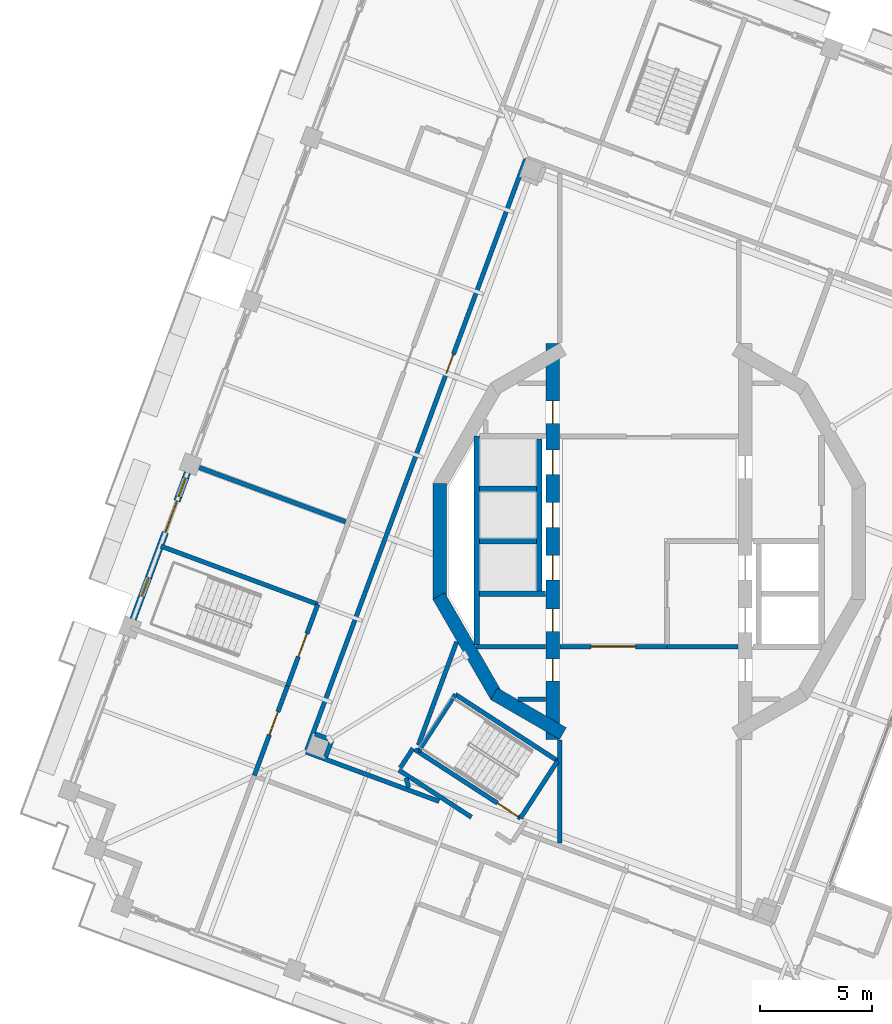
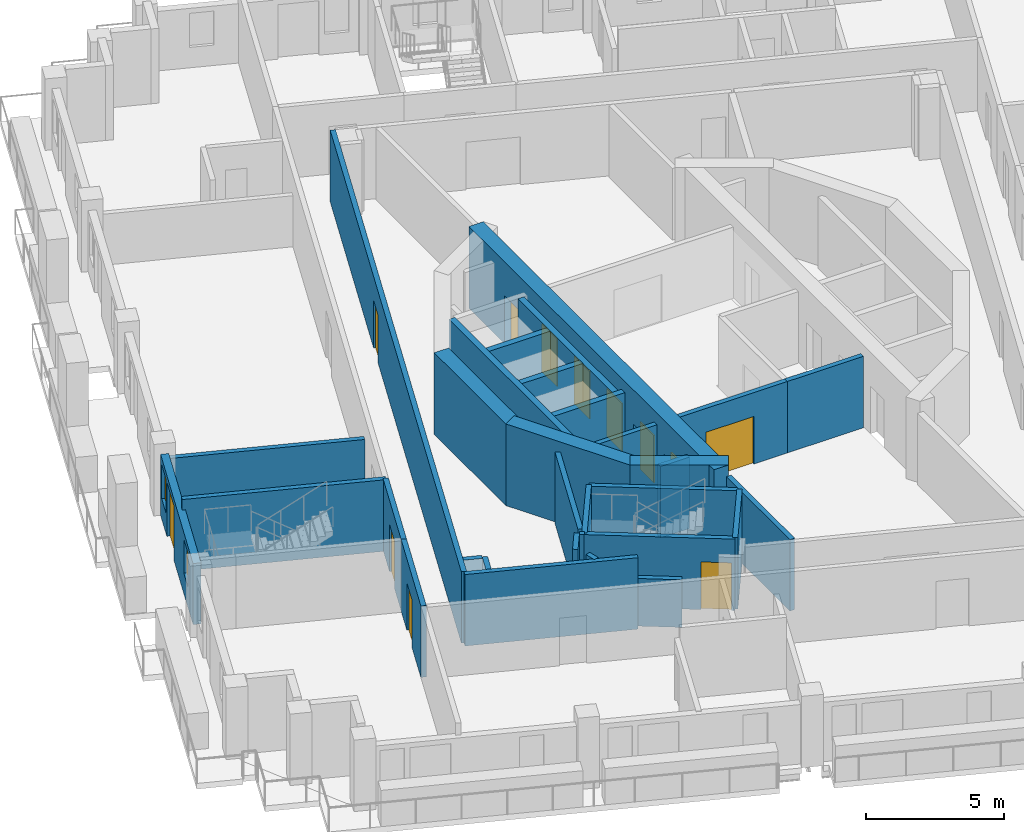
# One storey, part 6 of 19: 32 walls, 12 doors, 2 windows, 14 openings.
"""IFC4 building model written with IfcOpenShell, lengths in metres."""

from ifc_helpers import new_model, si_unit, direction, frame, frame_2d, origin, place, context, subcontext, project, spatial, rectangle, extrude, material, layer, layer_set, type_object, element, fill, save


model = new_model("IFC4")

# Units and contexts
model_context = context("Model", 3, precision=1e-05, world=origin(), true_north=direction((0.0, 1.0)))
body_context = subcontext(model_context, "Body", "Model", "MODEL_VIEW")
ifc_project = project(units=[si_unit("LENGTHUNIT", "METRE"), si_unit("AREAUNIT", "SQUARE_METRE"), si_unit("VOLUMEUNIT", "CUBIC_METRE"), si_unit("PLANEANGLEUNIT", "RADIAN"), si_unit("MASSUNIT", "GRAM", prefix="KILO")], contexts=[model_context])

# Site, building, storey
site_placement = place(None, origin())
site = spatial("IfcSite", under=ifc_project, at=site_placement, CompositionType="ELEMENT")
building_placement = place(site_placement, origin())
building = spatial("IfcBuilding", under=site, at=building_placement, Name="Cantera Rosa Tower", CompositionType="ELEMENT")
storey_placement = place(building_placement, frame((0.0, 0.0, 342.10009765625)))
storey = spatial("IfcBuildingStorey", under=building, at=storey_placement, Name="L77", CompositionType="ELEMENT", Elevation=342.10009765625)

# Wall
ifc_material_1 = material(Name="Gypsum board partition")
ifc_layer_1 = layer(ifc_material_1, 0.199951171875)
ifc_layer_set_1 = layer_set([ifc_layer_1], Name="CORRIDOR WALL 200 H2100")
wall_type_1 = type_object("IfcWallType", Name="CORRIDOR WALL 200 H2100", PredefinedType="PARTITIONING", material=ifc_layer_set_1)
wall_1_placement = place(storey_placement, frame((-11.177490234375, -10.216552734375, 0.0), z_axis=(0.0, 0.0, 1.0), x_axis=(0.83867589464, -0.544630832537, 0.0)))
element("IfcWall", 1, at=wall_1_placement, inside=storey, type_object=wall_type_1, Name="CORRIDOR WALL L77-013", PredefinedType="PARTITIONING", context=body_context, shape_type="SweptSolid", body=[
    extrude(rectangle(XDim=3.864990234375, YDim=0.199951171875, at=frame_2d((1.9326171875, 0.0))), origin(), (0.0, 0.0, 1.0), 2.099853515625),
])

# Wall, opening, door
ifc_material_2 = material(Name="Gypsum board partition")
ifc_layer_2 = layer(ifc_material_2, 0.199951171875)
ifc_layer_set_2 = layer_set([ifc_layer_2], Name="CORRIDOR WALL 200 H3150")
wall_type_2 = type_object("IfcWallType", Name="CORRIDOR WALL 200 H3150", PredefinedType="PARTITIONING", material=ifc_layer_set_2)
wall_2_placement = place(storey_placement, frame((-16.1513671875, -6.460205078125, 0.0), z_axis=(0.0, 0.0, 1.0), x_axis=(-0.347465539693, -0.937692752838, 0.0)))
wall_2 = element("IfcWall", 2, at=wall_2_placement, inside=storey, type_object=wall_type_2, Name="CORRIDOR WALL L77-004", PredefinedType="PARTITIONING", context=body_context, shape_type="SweptSolid", body=[
    extrude(rectangle(XDim=4.260009765625, YDim=0.199951171875, at=frame_2d((2.1298828125, 0.0))), origin(), (0.0, 0.0, 1.0), 3.14990234375),
])
opening_1_placement = place(wall_2_placement, frame((1.22998046875, 0.0, 0.0)))
opening_1 = element("IfcOpeningElement", 3, at=opening_1_placement, cuts=wall_2, Name="Opening L77-030", PredefinedType="OPENING", context=body_context, shape_type="SweptSolid", body=[
    extrude(rectangle(XDim=1.10009765625, YDim=2.10009765625, at=frame_2d((0.550048828125, 1.050048828125))), frame((0.0, 0.10986328125, 0.0), z_axis=(0.0, -1.0, 0.0), x_axis=(1.0, 0.0, 0.0)), (0.0, 0.0, 1.0), 0.219970703125),
])
ifc_material_3 = material(Name="Timber door leaf", Category="wood")
door_type_1 = type_object("IfcDoorType", Name="ROOM DOOR 1100x2100", OperationType="NOTDEFINED", PredefinedType="DOOR", material=ifc_material_3)
door_1_placement = place(opening_1_placement, origin())
door_1 = element("IfcDoor", 4, at=door_1_placement, inside=storey, type_object=door_type_1, Name="DOOR L77-030", OperationType="NOTDEFINED", OverallHeight=2.10009765625, OverallWidth=1.10009765625, PredefinedType="DOOR", context=body_context, shape_type="SweptSolid", body=[
    extrude(rectangle(XDim=1.10009765625, YDim=2.10009765625, at=frame_2d((0.550048828125, 1.050048828125))), frame((0.0, 0.02490234375, 0.0), z_axis=(0.0, -1.0, 0.0), x_axis=(1.0, 0.0, 0.0)), (0.0, 0.0, 1.0), 0.050048828125),
])
fill(opening_1, door_1)

# Walls
wall_3_placement = place(storey_placement, frame((-15.3251953125, -9.4111328125, 0.0), z_axis=(0.0, 0.0, 1.0), x_axis=(0.937682798528, -0.347492401852, 0.0)))
element("IfcWall", 5, at=wall_3_placement, inside=storey, type_object=wall_type_2, Name="CORRIDOR WALL L77-006", PredefinedType="PARTITIONING", context=body_context, shape_type="SweptSolid", body=[
    extrude(rectangle(XDim=6.341552734375, YDim=0.199951171875, at=frame_2d((3.1708984375, 0.0))), origin(), (0.0, 0.0, 1.0), 3.14990234375),
])
wall_4_placement = place(storey_placement, frame((-10.546630859375, -9.2451171875, 0.0), z_axis=(0.0, 0.0, 1.0), x_axis=(-0.544732150362, -0.838610090782, 0.0)))
element("IfcWall", 6, at=wall_4_placement, inside=storey, type_object=wall_type_2, Name="CORRIDOR WALL L77-017", PredefinedType="PARTITIONING", context=body_context, shape_type="SweptSolid", body=[
    extrude(rectangle(XDim=1.038330078125, YDim=0.199951171875, at=frame_2d((0.51904296875, 0.0))), origin(), (0.0, 0.0, 1.0), 3.14990234375),
])
wall_5_placement = place(storey_placement, frame((-10.462646484375, -9.299560546875, 0.0), z_axis=(0.0, 0.0, 1.0), x_axis=(0.838857934668, -0.544350406856, 0.0)))
element("IfcWall", 7, at=wall_5_placement, inside=storey, type_object=wall_type_2, Name="CORRIDOR WALL L77-018", PredefinedType="PARTITIONING", context=body_context, shape_type="SweptSolid", body=[
    extrude(rectangle(XDim=0.1748046875, YDim=0.199951171875, at=frame_2d((0.08740234375, 0.0))), origin(), (0.0, 0.0, 1.0), 3.14990234375),
])

# Wall, opening, door
wall_6_placement = place(storey_placement, frame((-5.491455078125, 17.125244140625, 0.0), z_axis=(0.0, 0.0, 1.0), x_axis=(-0.347478457093, -0.937687966147, 0.0)))
wall_6 = element("IfcWall", 8, at=wall_6_placement, inside=storey, type_object=wall_type_2, Name="CORRIDOR WALL L77-039", PredefinedType="PARTITIONING", context=body_context, shape_type="SweptSolid", body=[
    extrude(rectangle(XDim=28.19970703125, YDim=0.199951171875, at=frame_2d((14.099853515625, 0.0))), origin(), (0.0, 0.0, 1.0), 3.14990234375),
])
opening_2_placement = place(wall_6_placement, frame((9.35498046875, 0.0, 0.0)))
opening_2 = element("IfcOpeningElement", 9, at=opening_2_placement, cuts=wall_6, Name="Opening L77-006", PredefinedType="OPENING", context=body_context, shape_type="SweptSolid", body=[
    extrude(rectangle(XDim=0.89990234375, YDim=2.10009765625, at=frame_2d((0.449951171875, 1.050048828125))), frame((0.0, 0.10986328125, 0.0), z_axis=(0.0, -1.0, 0.0), x_axis=(1.0, 0.0, 0.0)), (0.0, 0.0, 1.0), 0.219970703125),
])
ifc_material_4 = material(Name="Timber door leaf", Category="wood")
door_type_2 = type_object("IfcDoorType", Name="SERVICE DOOR 900x2100", OperationType="NOTDEFINED", PredefinedType="DOOR", material=ifc_material_4)
door_2_placement = place(opening_2_placement, origin())
door_2 = element("IfcDoor", 10, at=door_2_placement, inside=storey, type_object=door_type_2, Name="DOOR L77-006", OperationType="NOTDEFINED", OverallHeight=2.10009765625, OverallWidth=0.89990234375, PredefinedType="DOOR", context=body_context, shape_type="SweptSolid", body=[
    extrude(rectangle(XDim=0.89990234375, YDim=2.10009765625, at=frame_2d((0.449951171875, 1.050048828125))), frame((0.0, 0.02490234375, 0.0), z_axis=(0.0, -1.0, 0.0), x_axis=(1.0, 0.0, 0.0)), (0.0, 0.0, 1.0), 0.050048828125),
])
fill(opening_2, door_2)

# Wall
wall_7_placement = place(storey_placement, frame((-4.0, -13.468017578125, 0.0), z_axis=(0.0, 0.0, 1.0), x_axis=(0.0, 1.0, 0.0)))
element("IfcWall", 11, at=wall_7_placement, inside=storey, type_object=wall_type_2, Name="CORRIDOR WALL L77-045", PredefinedType="PARTITIONING", context=body_context, shape_type="SweptSolid", body=[
    extrude(rectangle(XDim=4.589111328125, YDim=0.199951171875, at=frame_2d((2.29443359375, 0.0))), origin(), (0.0, 0.0, 1.0), 3.14990234375),
])

# Wall, opening, door
wall_8_placement = place(storey_placement, frame((0.800048828125, -4.699951171875, 0.0), z_axis=(0.0, 0.0, 1.0), x_axis=(-1.0, 0.0, 0.0)))
wall_8 = element("IfcWall", 12, at=wall_8_placement, inside=storey, type_object=wall_type_2, Name="CORRIDOR WALL L77-051", PredefinedType="PARTITIONING", context=body_context, shape_type="SweptSolid", body=[
    extrude(rectangle(XDim=4.77001953125, YDim=0.199951171875, at=frame_2d((2.385009765625, 0.0))), origin(), (0.0, 0.0, 1.0), 3.14990234375),
])
opening_3_placement = place(wall_8_placement, frame((1.39990234375, 0.0, 0.0)))
opening_3 = element("IfcOpeningElement", 13, at=opening_3_placement, cuts=wall_8, Name="Opening L77-012", PredefinedType="OPENING", context=body_context, shape_type="SweptSolid", body=[
    extrude(rectangle(XDim=2.0, YDim=2.10009765625, at=frame_2d((1.0, 1.050048828125))), frame((0.0, 0.10986328125, 0.0), z_axis=(0.0, -1.0, 0.0), x_axis=(1.0, 0.0, 0.0)), (0.0, 0.0, 1.0), 0.219970703125),
])
ifc_material_5 = material(Name="Steel S355J2 (EN 10025-2)", Category="steel")
door_type_3 = type_object("IfcDoorType", Name="LOBBY SCREEN DOOR 2000x2100", OperationType="NOTDEFINED", PredefinedType="DOOR", material=ifc_material_5)
door_3_placement = place(opening_3_placement, origin())
door_3 = element("IfcDoor", 14, at=door_3_placement, inside=storey, type_object=door_type_3, Name="DOOR L77-012", OperationType="NOTDEFINED", OverallHeight=2.10009765625, OverallWidth=2.0, PredefinedType="DOOR", context=body_context, shape_type="SweptSolid", body=[
    extrude(rectangle(XDim=2.0, YDim=2.10009765625, at=frame_2d((1.0, 1.050048828125))), frame((0.0, 0.02490234375, 0.0), z_axis=(0.0, -1.0, 0.0), x_axis=(1.0, 0.0, 0.0)), (0.0, 0.0, 1.0), 0.050048828125),
])
fill(opening_3, door_3)

# Wall, openings, windows, door
ifc_material_6 = material(Name="Hollow clay masonry with cantera stone cladding", Category="masonry")
ifc_layer_3 = layer(ifc_material_6, 0.300048828125)
ifc_layer_set_3 = layer_set([ifc_layer_3], Name="EW-LOGGIA 300 H2690")
wall_type_3 = type_object("IfcWallType", Name="EW-LOGGIA 300 H2690", PredefinedType="SOLIDWALL", material=ifc_layer_set_3)
wall_9_placement = place(storey_placement, frame((-20.61962890625, 3.06591796875, 0.0), z_axis=(0.0, 0.0, 1.0), x_axis=(-0.347471562124, -0.937690521182, 0.0)))
wall_9 = element("IfcWall", 15, at=wall_9_placement, inside=storey, type_object=wall_type_3, Name="EN-L77-W10", PredefinedType="SOLIDWALL", context=body_context, shape_type="SweptSolid", body=[
    extrude(rectangle(XDim=6.979736328125, YDim=0.300048828125, at=frame_2d((3.48974609375, 0.0))), origin(), (0.0, 0.0, 1.0), 2.68994140625),
])
opening_4_placement = place(wall_9_placement, frame((0.2451171875, 0.0, 0.89990234375)))
opening_4 = element("IfcOpeningElement", 16, at=opening_4_placement, cuts=wall_9, Name="Opening L77-W22", PredefinedType="OPENING", context=body_context, shape_type="SweptSolid", body=[
    extrude(rectangle(XDim=0.89990234375, YDim=1.5, at=frame_2d((0.449951171875, 0.75))), frame((0.0, 0.159912109375, 0.0), z_axis=(0.0, -1.0, 0.0), x_axis=(1.0, 0.0, 0.0)), (0.0, 0.0, 1.0), 0.320068359375),
])
opening_5_placement = place(wall_9_placement, frame((1.344970703125, 0.0, 0.0)))
opening_5 = element("IfcOpeningElement", 17, at=opening_5_placement, cuts=wall_9, Name="Opening L77-TD23", PredefinedType="OPENING", context=body_context, shape_type="SweptSolid", body=[
    extrude(rectangle(XDim=1.5, YDim=2.39990234375, at=frame_2d((0.75, 1.199951171875))), frame((0.0, 0.159912109375, 0.0), z_axis=(0.0, -1.0, 0.0), x_axis=(1.0, 0.0, 0.0)), (0.0, 0.0, 1.0), 0.320068359375),
])
opening_6_placement = place(wall_9_placement, frame((4.985107421875, 0.0, 0.89990234375)))
opening_6 = element("IfcOpeningElement", 18, at=opening_6_placement, cuts=wall_9, Name="Opening L77-W24", PredefinedType="OPENING", context=body_context, shape_type="SweptSolid", body=[
    extrude(rectangle(XDim=0.89990234375, YDim=1.5, at=frame_2d((0.449951171875, 0.75))), frame((0.0, 0.159912109375, 0.0), z_axis=(0.0, -1.0, 0.0), x_axis=(1.0, 0.0, 0.0)), (0.0, 0.0, 1.0), 0.320068359375),
])
ifc_material_7 = material(Name="Aluminium frame with clear glass", Category="aluminium")
window_type = type_object("IfcWindowType", Name="Residential window 900x1500", PartitioningType="SINGLE_PANEL", PredefinedType="WINDOW", material=ifc_material_7)
window_1_placement = place(opening_4_placement, origin())
window_1 = element("IfcWindow", 19, at=window_1_placement, inside=storey, type_object=window_type, Name="WINDOW L77-W22", OverallHeight=1.5, OverallWidth=0.89990234375, PartitioningType="SINGLE_PANEL", PredefinedType="WINDOW", context=body_context, shape_type="SweptSolid", body=[
    extrude(rectangle(XDim=0.89990234375, YDim=1.5, at=frame_2d((0.449951171875, 0.75))), frame((0.0, 0.030029296875, 0.0), z_axis=(0.0, -1.0, 0.0), x_axis=(1.0, 0.0, 0.0)), (0.0, 0.0, 1.0), 0.06005859375),
])
fill(opening_4, window_1)
window_2_placement = place(opening_6_placement, origin())
window_2 = element("IfcWindow", 20, at=window_2_placement, inside=storey, type_object=window_type, Name="WINDOW L77-W24", OverallHeight=1.5, OverallWidth=0.89990234375, PartitioningType="SINGLE_PANEL", PredefinedType="WINDOW", context=body_context, shape_type="SweptSolid", body=[
    extrude(rectangle(XDim=0.89990234375, YDim=1.5, at=frame_2d((0.449951171875, 0.75))), frame((0.0, 0.030029296875, 0.0), z_axis=(0.0, -1.0, 0.0), x_axis=(1.0, 0.0, 0.0)), (0.0, 0.0, 1.0), 0.06005859375),
])
fill(opening_6, window_2)
ifc_material_8 = material(Name="Aluminium frame with clear glass", Category="aluminium")
door_type_4 = type_object("IfcDoorType", Name="TD-R 1500x2400", OperationType="NOTDEFINED", PredefinedType="DOOR", material=ifc_material_8)
door_4_placement = place(opening_5_placement, origin())
door_4 = element("IfcDoor", 21, at=door_4_placement, inside=storey, type_object=door_type_4, Name="LOGGIA DOOR L77-TD23", OperationType="SLIDING_TO_LEFT", OverallHeight=2.39990234375, OverallWidth=1.5, PredefinedType="DOOR", context=body_context, shape_type="SweptSolid", body=[
    extrude(rectangle(XDim=1.5, YDim=2.39990234375, at=frame_2d((0.75, 1.199951171875))), frame((0.0, 0.02490234375, 0.0), z_axis=(0.0, -1.0, 0.0), x_axis=(1.0, 0.0, 0.0)), (0.0, 0.0, 1.0), 0.050048828125),
])
fill(opening_5, door_4)

# Walls
ifc_material_9 = material(Name="Gypsum board partition")
ifc_layer_4 = layer(ifc_material_9, 0.199951171875)
ifc_layer_set_4 = layer_set([ifc_layer_4], Name="PARTITION 200 H2250")
wall_type_4 = type_object("IfcWallType", Name="PARTITION 200 H2250", PredefinedType="PARTITIONING", material=ifc_layer_set_4)
wall_10_placement = place(storey_placement, frame((-13.560302734375, 0.876708984375, 0.0), z_axis=(0.0, 0.0, 1.0), x_axis=(-0.937689847803, 0.347473379308, 0.0)))
element("IfcWall", 22, at=wall_10_placement, inside=storey, type_object=wall_type_4, Name="PARTITION L77-011", PredefinedType="PARTITIONING", context=body_context, shape_type="SweptSolid", body=[
    extrude(rectangle(XDim=7.35009765625, YDim=0.199951171875, at=frame_2d((3.675048828125, 0.0))), origin(), (0.0, 0.0, 1.0), 2.25),
])
ifc_material_10 = material(Name="Gypsum board partition")
ifc_layer_5 = layer(ifc_material_10, 0.199951171875)
ifc_layer_set_5 = layer_set([ifc_layer_5], Name="PARTITION 200 H3150")
wall_type_5 = type_object("IfcWallType", Name="PARTITION 200 H3150", PredefinedType="PARTITIONING", material=ifc_layer_set_5)
wall_11_placement = place(storey_placement, frame((-14.446533203125, -9.630126953125, 0.0), z_axis=(0.0, 0.0, 1.0), x_axis=(0.347542916853, 0.937664076813, 0.0)))
element("IfcWall", 23, at=wall_11_placement, inside=storey, type_object=wall_type_5, Name="PARTITION L77-009", PredefinedType="PARTITIONING", context=body_context, shape_type="SweptSolid", body=[
    extrude(rectangle(XDim=0.800048828125, YDim=0.199951171875, at=frame_2d((0.39990234375, 0.0))), origin(), (0.0, 0.0, 1.0), 3.14990234375),
])
wall_12_placement = place(storey_placement, frame((-14.26220703125, -8.84521484375, 0.0), z_axis=(0.0, 0.0, 1.0), x_axis=(-0.937740347131, 0.347337071678, 0.0)))
element("IfcWall", 24, at=wall_12_placement, inside=storey, type_object=wall_type_5, Name="PARTITION L77-010", PredefinedType="PARTITIONING", context=body_context, shape_type="SweptSolid", body=[
    extrude(rectangle(XDim=0.7001953125, YDim=0.199951171875, at=frame_2d((0.35009765625, 0.0))), origin(), (0.0, 0.0, 1.0), 3.14990234375),
])
wall_13_placement = place(storey_placement, frame((-10.848876953125, -10.569580078125, 0.0), z_axis=(0.0, 0.0, 1.0), x_axis=(0.236211728169, -0.971701610308, 0.0)))
element("IfcWall", 25, at=wall_13_placement, inside=storey, type_object=wall_type_5, Name="PARTITION L77-016", PredefinedType="PARTITIONING", context=body_context, shape_type="SweptSolid", body=[
    extrude(rectangle(XDim=0.445556640625, YDim=0.199951171875, at=frame_2d((0.22265625, 0.0))), origin(), (0.0, 0.0, 1.0), 3.14990234375),
])
wall_14_placement = place(storey_placement, frame((-8.595703125, -4.489990234375, 0.0), z_axis=(0.0, 0.0, 1.0), x_axis=(-0.347498352147, -0.937680593408, 0.0)))
element("IfcWall", 26, at=wall_14_placement, inside=storey, type_object=wall_type_5, Name="PARTITION L77-023", PredefinedType="PARTITIONING", context=body_context, shape_type="SweptSolid", body=[
    extrude(rectangle(XDim=4.926513671875, YDim=0.199951171875, at=frame_2d((2.46337890625, 0.0))), origin(), (0.0, 0.0, 1.0), 3.14990234375),
])
wall_15_placement = place(storey_placement, frame((-7.699951171875, -4.699951171875, 0.0), z_axis=(0.0, 0.0, 1.0), x_axis=(1.0, 0.0, 0.0)))
element("IfcWall", 27, at=wall_15_placement, inside=storey, type_object=wall_type_5, Name="PARTITION L77-025", PredefinedType="PARTITIONING", context=body_context, shape_type="SweptSolid", body=[
    extrude(rectangle(XDim=3.070068359375, YDim=0.199951171875, at=frame_2d((1.53515625, 0.0))), origin(), (0.0, 0.0, 1.0), 3.14990234375),
])
wall_16_placement = place(storey_placement, frame((-4.6298828125, -7.050048828125, 0.0), z_axis=(0.0, 0.0, 1.0), x_axis=(-1.0, 0.0, 0.0)))
element("IfcWall", 28, at=wall_16_placement, inside=storey, type_object=wall_type_5, Name="PARTITION L77-042", PredefinedType="PARTITIONING", context=body_context, shape_type="SweptSolid", body=[
    extrude(rectangle(XDim=1.2177734375, YDim=0.199951171875, at=frame_2d((0.60888671875, 0.0))), origin(), (0.0, 0.0, 1.0), 3.14990234375),
])
ifc_material_11 = material(Name="Concrete C50/60", Category="concrete")
ifc_layer_6 = layer(ifc_material_11, 0.60009765625)
ifc_layer_set_6 = layer_set([ifc_layer_6], Name="RC CORE WALL 600 C50/60")
wall_type_6 = type_object("IfcWallType", Name="RC CORE WALL 600 C50/60", PredefinedType="SHEAR", material=ifc_layer_set_6)
wall_17_placement = place(storey_placement, frame((-3.85009765625, -8.584228515625, 0.0), z_axis=(0.0, 0.0, 1.0), x_axis=(-0.866039982607, 0.499974747889, 0.0)))
element("IfcWall", 29, at=wall_17_placement, inside=storey, type_object=wall_type_6, Name="CW-W1 L77", PredefinedType="SHEAR", context=body_context, shape_type="SweptSolid", body=[
    extrude(rectangle(XDim=3.546142578125, YDim=0.60009765625, at=frame_2d((1.77294921875, 0.0))), origin(), (0.0, 0.0, 1.0), 3.599853515625),
])
for number, where, z_axis, x_axis, name in (
    (30, (-6.811279296875, -6.921142578125, 0.0), (0.0, 0.0, 1.0), (-0.499989188378, 0.866031645787, 0.0), "CW-W2 L77"),
    (31, (-9.359375, -2.588134765625, 0.0), (0.0, 0.0, 1.0), (0.0, 1.0, 0.0), "CW-W3 L77"),
):
    element("IfcWall", number, at=place(storey_placement, frame(where, z_axis=z_axis, x_axis=x_axis)), inside=storey, type_object=wall_type_6, Name=name, PredefinedType="SHEAR", context=body_context, shape_type="SweptSolid", body=[
        extrude(rectangle(XDim=5.17626953125, YDim=0.60009765625, at=frame_2d((2.588134765625, 0.0))), origin(), (0.0, 0.0, 1.0), 3.599853515625),
    ])

# Wall, openings, doors
wall_18_placement = place(storey_placement, frame((-4.300048828125, 8.84423828125, 0.0), z_axis=(0.0, 0.0, 1.0), x_axis=(0.0, -1.0, 0.0)))
wall_18 = element("IfcWall", 32, at=wall_18_placement, inside=storey, type_object=wall_type_6, Name="CW-W6 L77", PredefinedType="SHEAR", context=body_context, shape_type="SweptSolid", body=[
    extrude(rectangle(XDim=17.6884765625, YDim=0.60009765625, at=frame_2d((8.84423828125, 0.0))), origin(), (0.0, 0.0, 1.0), 3.599853515625),
])
opening_7_placement = place(wall_18_placement, frame((9.468994140625, 0.0, 0.0)))
opening_7 = element("IfcOpeningElement", 33, at=opening_7_placement, cuts=wall_18, Name="Opening LD-H1-L77", PredefinedType="OPENING", context=body_context, shape_type="SweptSolid", body=[
    extrude(rectangle(XDim=1.10009765625, YDim=2.10009765625, at=frame_2d((0.550048828125, 1.050048828125))), frame((0.0, 0.31005859375, 0.0), z_axis=(0.0, -1.0, 0.0), x_axis=(1.0, 0.0, 0.0)), (0.0, 0.0, 1.0), 0.6201171875),
])
opening_8_placement = place(wall_18_placement, frame((7.119140625, 0.0, 0.0)))
opening_8 = element("IfcOpeningElement", 34, at=opening_8_placement, cuts=wall_18, Name="Opening LD-H2-L77", PredefinedType="OPENING", context=body_context, shape_type="SweptSolid", body=[
    extrude(rectangle(XDim=1.10009765625, YDim=2.10009765625, at=frame_2d((0.550048828125, 1.050048828125))), frame((0.0, 0.31005859375, 0.0), z_axis=(0.0, -1.0, 0.0), x_axis=(1.0, 0.0, 0.0)), (0.0, 0.0, 1.0), 0.6201171875),
])
opening_9_placement = place(wall_18_placement, frame((4.76904296875, 0.0, 0.0)))
opening_9 = element("IfcOpeningElement", 35, at=opening_9_placement, cuts=wall_18, Name="Opening LD-H3-L77", PredefinedType="OPENING", context=body_context, shape_type="SweptSolid", body=[
    extrude(rectangle(XDim=1.10009765625, YDim=2.10009765625, at=frame_2d((0.550048828125, 1.050048828125))), frame((0.0, 0.31005859375, 0.0), z_axis=(0.0, -1.0, 0.0), x_axis=(1.0, 0.0, 0.0)), (0.0, 0.0, 1.0), 0.6201171875),
])
opening_10_placement = place(wall_18_placement, frame((14.091552734375, 0.0, 0.0)))
opening_10 = element("IfcOpeningElement", 36, at=opening_10_placement, cuts=wall_18, Name="Opening SD-L77-14", PredefinedType="OPENING", context=body_context, shape_type="SweptSolid", body=[
    extrude(rectangle(XDim=1.0, YDim=2.10009765625, at=frame_2d((0.5, 1.050048828125))), frame((0.0, 0.31005859375, 0.0), z_axis=(0.0, -1.0, 0.0), x_axis=(1.0, 0.0, 0.0)), (0.0, 0.0, 1.0), 0.6201171875),
])
opening_11_placement = place(wall_18_placement, frame((2.572265625, 0.0, 0.0)))
opening_11 = element("IfcOpeningElement", 37, at=opening_11_placement, cuts=wall_18, Name="Opening SD-L77-15", PredefinedType="OPENING", context=body_context, shape_type="SweptSolid", body=[
    extrude(rectangle(XDim=1.0, YDim=2.10009765625, at=frame_2d((0.5, 1.050048828125))), frame((0.0, 0.31005859375, 0.0), z_axis=(0.0, -1.0, 0.0), x_axis=(1.0, 0.0, 0.0)), (0.0, 0.0, 1.0), 0.6201171875),
])
opening_12_placement = place(wall_18_placement, frame((11.869140625, 0.0, 0.0)))
opening_12 = element("IfcOpeningElement", 38, at=opening_12_placement, cuts=wall_18, Name="Opening SD-L77-16", PredefinedType="OPENING", context=body_context, shape_type="SweptSolid", body=[
    extrude(rectangle(XDim=1.0, YDim=2.10009765625, at=frame_2d((0.5, 1.050048828125))), frame((0.0, 0.31005859375, 0.0), z_axis=(0.0, -1.0, 0.0), x_axis=(1.0, 0.0, 0.0)), (0.0, 0.0, 1.0), 0.6201171875),
])
ifc_material_12 = material(Name="Steel S355J2 (EN 10025-2)", Category="steel")
door_type_5 = type_object("IfcDoorType", Name="LANDING DOOR 1100x2100", OperationType="NOTDEFINED", PredefinedType="DOOR", material=ifc_material_12)
door_5_placement = place(opening_7_placement, origin())
door_5 = element("IfcDoor", 39, at=door_5_placement, inside=storey, type_object=door_type_5, Name="LANDING DOOR H1 L77", OperationType="SLIDING_TO_LEFT", OverallHeight=2.10009765625, OverallWidth=1.10009765625, PredefinedType="DOOR", context=body_context, shape_type="SweptSolid", body=[
    extrude(rectangle(XDim=1.10009765625, YDim=2.10009765625, at=frame_2d((0.550048828125, 1.050048828125))), frame((0.0, 0.02490234375, 0.0), z_axis=(0.0, -1.0, 0.0), x_axis=(1.0, 0.0, 0.0)), (0.0, 0.0, 1.0), 0.050048828125),
])
fill(opening_7, door_5)
door_6_placement = place(opening_8_placement, origin())
door_6 = element("IfcDoor", 40, at=door_6_placement, inside=storey, type_object=door_type_5, Name="LANDING DOOR H2 L77", OperationType="SLIDING_TO_LEFT", OverallHeight=2.10009765625, OverallWidth=1.10009765625, PredefinedType="DOOR", context=body_context, shape_type="SweptSolid", body=[
    extrude(rectangle(XDim=1.10009765625, YDim=2.10009765625, at=frame_2d((0.550048828125, 1.050048828125))), frame((0.0, 0.02490234375, 0.0), z_axis=(0.0, -1.0, 0.0), x_axis=(1.0, 0.0, 0.0)), (0.0, 0.0, 1.0), 0.050048828125),
])
fill(opening_8, door_6)
door_7_placement = place(opening_9_placement, origin())
door_7 = element("IfcDoor", 41, at=door_7_placement, inside=storey, type_object=door_type_5, Name="LANDING DOOR H3 L77", OperationType="SLIDING_TO_LEFT", OverallHeight=2.10009765625, OverallWidth=1.10009765625, PredefinedType="DOOR", context=body_context, shape_type="SweptSolid", body=[
    extrude(rectangle(XDim=1.10009765625, YDim=2.10009765625, at=frame_2d((0.550048828125, 1.050048828125))), frame((0.0, 0.02490234375, 0.0), z_axis=(0.0, -1.0, 0.0), x_axis=(1.0, 0.0, 0.0)), (0.0, 0.0, 1.0), 0.050048828125),
])
fill(opening_9, door_7)
ifc_material_13 = material(Name="Timber door leaf", Category="wood")
door_type_6 = type_object("IfcDoorType", Name="SERVICE DOOR 1000x2100", OperationType="NOTDEFINED", PredefinedType="DOOR", material=ifc_material_13)
door_8_placement = place(opening_10_placement, origin())
door_8 = element("IfcDoor", 42, at=door_8_placement, inside=storey, type_object=door_type_6, Name="DOOR L77-SD14", OperationType="NOTDEFINED", OverallHeight=2.10009765625, OverallWidth=1.0, PredefinedType="DOOR", context=body_context, shape_type="SweptSolid", body=[
    extrude(rectangle(XDim=1.0, YDim=2.10009765625, at=frame_2d((0.5, 1.050048828125))), frame((0.0, 0.02490234375, 0.0), z_axis=(0.0, -1.0, 0.0), x_axis=(1.0, 0.0, 0.0)), (0.0, 0.0, 1.0), 0.050048828125),
])
fill(opening_10, door_8)
door_9_placement = place(opening_11_placement, origin())
door_9 = element("IfcDoor", 43, at=door_9_placement, inside=storey, type_object=door_type_6, Name="DOOR L77-SD15", OperationType="NOTDEFINED", OverallHeight=2.10009765625, OverallWidth=1.0, PredefinedType="DOOR", context=body_context, shape_type="SweptSolid", body=[
    extrude(rectangle(XDim=1.0, YDim=2.10009765625, at=frame_2d((0.5, 1.050048828125))), frame((0.0, 0.02490234375, 0.0), z_axis=(0.0, -1.0, 0.0), x_axis=(1.0, 0.0, 0.0)), (0.0, 0.0, 1.0), 0.050048828125),
])
fill(opening_11, door_9)
door_10_placement = place(opening_12_placement, origin())
door_10 = element("IfcDoor", 44, at=door_10_placement, inside=storey, type_object=door_type_6, Name="DOOR L77-SD16", OperationType="NOTDEFINED", OverallHeight=2.10009765625, OverallWidth=1.0, PredefinedType="DOOR", context=body_context, shape_type="SweptSolid", body=[
    extrude(rectangle(XDim=1.0, YDim=2.10009765625, at=frame_2d((0.5, 1.050048828125))), frame((0.0, 0.02490234375, 0.0), z_axis=(0.0, -1.0, 0.0), x_axis=(1.0, 0.0, 0.0)), (0.0, 0.0, 1.0), 0.050048828125),
])
fill(opening_12, door_10)

# Walls
ifc_material_14 = material(Name="Masonry blockwork", Category="masonry")
ifc_layer_7 = layer(ifc_material_14, 0.25)
ifc_layer_set_7 = layer_set([ifc_layer_7], Name="SHAFT WALL 250 H3150")
wall_type_7 = type_object("IfcWallType", Name="SHAFT WALL 250 H3150", PredefinedType="SOLIDWALL", material=ifc_layer_set_7)
for number, where, z_axis, x_axis, name in (
    (45, (-7.574951171875, 0.0, 0.0), (0.0, 0.0, 1.0), (1.0, 0.0, 0.0), "SHAFT WALL L77-026"),
    (46, (-7.574951171875, 2.35009765625, 0.0), (0.0, 0.0, 1.0), (1.0, 0.0, 0.0), "SHAFT WALL L77-027"),
):
    element("IfcWall", number, at=place(storey_placement, frame(where, z_axis=z_axis, x_axis=x_axis)), inside=storey, type_object=wall_type_7, Name=name, PredefinedType="SOLIDWALL", context=body_context, shape_type="SweptSolid", body=[
        extrude(rectangle(XDim=2.554931640625, YDim=0.25, at=frame_2d((1.27734375, 0.0))), origin(), (0.0, 0.0, 1.0), 3.14990234375),
    ])
wall_19_placement = place(storey_placement, frame((-7.699951171875, 4.699951171875, 0.0), z_axis=(0.0, 0.0, 1.0), x_axis=(0.0, -1.0, 0.0)))
element("IfcWall", 47, at=wall_19_placement, inside=storey, type_object=wall_type_7, Name="SHAFT WALL L77-028", PredefinedType="SOLIDWALL", context=body_context, shape_type="SweptSolid", body=[
    extrude(rectangle(XDim=9.320068359375, YDim=0.25, at=frame_2d((4.66015625, 0.0))), origin(), (0.0, 0.0, 1.0), 3.14990234375),
])
wall_20_placement = place(storey_placement, frame((-4.89990234375, -2.22509765625, 0.0), z_axis=(0.0, 0.0, 1.0), x_axis=(0.0, 1.0, 0.0)))
element("IfcWall", 48, at=wall_20_placement, inside=storey, type_object=wall_type_7, Name="SHAFT WALL L77-041", PredefinedType="SOLIDWALL", context=body_context, shape_type="SweptSolid", body=[
    extrude(rectangle(XDim=6.800048828125, YDim=0.25, at=frame_2d((3.39990234375, 0.0))), origin(), (0.0, 0.0, 1.0), 3.14990234375),
])
wall_21_placement = place(storey_placement, frame((-4.6298828125, -2.35009765625, 0.0), z_axis=(0.0, 0.0, 1.0), x_axis=(-1.0, 0.0, 0.0)))
element("IfcWall", 49, at=wall_21_placement, inside=storey, type_object=wall_type_7, Name="SHAFT WALL L77-043", PredefinedType="SOLIDWALL", context=body_context, shape_type="SweptSolid", body=[
    extrude(rectangle(XDim=2.945068359375, YDim=0.25, at=frame_2d((1.47265625, 0.0))), origin(), (0.0, 0.0, 1.0), 3.14990234375),
])

# Wall, opening, door
ifc_material_15 = material(Name="Concrete C50/60", Category="concrete")
ifc_layer_8 = layer(ifc_material_15, 0.199951171875)
ifc_layer_set_8 = layer_set([ifc_layer_8], Name="STAIR WALL 200 H3150")
wall_type_8 = type_object("IfcWallType", Name="STAIR WALL 200 H3150", PredefinedType="SOLIDWALL", material=ifc_layer_set_8)
wall_22_placement = place(storey_placement, frame((-16.1513671875, -6.460205078125, 0.0), z_axis=(0.0, 0.0, 1.0), x_axis=(0.347516717491, 0.937673787126, 0.0)))
wall_22 = element("IfcWall", 50, at=wall_22_placement, inside=storey, type_object=wall_type_8, Name="STAIR WALL L77-005", PredefinedType="SOLIDWALL", context=body_context, shape_type="SweptSolid", body=[
    extrude(rectangle(XDim=3.889892578125, YDim=0.199951171875, at=frame_2d((1.94482421875, 0.0))), origin(), (0.0, 0.0, 1.0), 3.14990234375),
])
opening_13_placement = place(wall_22_placement, frame((1.39501953125, 0.0, 0.0)))
opening_13 = element("IfcOpeningElement", 51, at=opening_13_placement, cuts=wall_22, Name="Opening L77-003", PredefinedType="OPENING", context=body_context, shape_type="SweptSolid", body=[
    extrude(rectangle(XDim=1.10009765625, YDim=2.10009765625, at=frame_2d((0.550048828125, 1.050048828125))), frame((0.0, 0.10986328125, 0.0), z_axis=(0.0, -1.0, 0.0), x_axis=(1.0, 0.0, 0.0)), (0.0, 0.0, 1.0), 0.219970703125),
])
ifc_material_16 = material(Name="Steel S355J2 (EN 10025-2)", Category="steel")
door_type_7 = type_object("IfcDoorType", Name="STAIR DOOR 1100x2100", OperationType="NOTDEFINED", PredefinedType="DOOR", material=ifc_material_16)
door_11_placement = place(opening_13_placement, origin())
door_11 = element("IfcDoor", 52, at=door_11_placement, inside=storey, type_object=door_type_7, Name="DOOR L77-003", OperationType="NOTDEFINED", OverallHeight=2.10009765625, OverallWidth=1.10009765625, PredefinedType="DOOR", context=body_context, shape_type="SweptSolid", body=[
    extrude(rectangle(XDim=1.10009765625, YDim=2.10009765625, at=frame_2d((0.550048828125, 1.050048828125))), frame((0.0, 0.02490234375, 0.0), z_axis=(0.0, -1.0, 0.0), x_axis=(1.0, 0.0, 0.0)), (0.0, 0.0, 1.0), 0.050048828125),
])
fill(opening_13, door_11)

# Walls
wall_23_placement = place(storey_placement, frame((-14.799560546875, -2.812744140625, 0.0), z_axis=(0.0, 0.0, 1.0), x_axis=(-0.93768803379, 0.347478274555, 0.0)))
element("IfcWall", 53, at=wall_23_placement, inside=storey, type_object=wall_type_8, Name="STAIR WALL L77-008", PredefinedType="SOLIDWALL", context=body_context, shape_type="SweptSolid", body=[
    extrude(rectangle(XDim=7.47021484375, YDim=0.199951171875, at=frame_2d((3.735107421875, 0.0))), origin(), (0.0, 0.0, 1.0), 3.14990234375),
])
wall_24_placement = place(storey_placement, frame((-10.31591796875, -9.394775390625, 0.0), z_axis=(0.0, 0.0, 1.0), x_axis=(0.544647854685, 0.838664840319, 0.0)))
element("IfcWall", 54, at=wall_24_placement, inside=storey, type_object=wall_type_8, Name="STAIR WALL L77-020", PredefinedType="SOLIDWALL", context=body_context, shape_type="SweptSolid", body=[
    extrude(rectangle(XDim=3.0498046875, YDim=0.199951171875, at=frame_2d((1.52490234375, 0.0))), origin(), (0.0, 0.0, 1.0), 3.14990234375),
])
wall_25_placement = place(storey_placement, frame((-8.65478515625, -6.8369140625, 0.0), z_axis=(0.0, 0.0, 1.0), x_axis=(0.838674843592, -0.544632451041, 0.0)))
element("IfcWall", 55, at=wall_25_placement, inside=storey, type_object=wall_type_8, Name="STAIR WALL L77-022", PredefinedType="SOLIDWALL", context=body_context, shape_type="SweptSolid", body=[
    extrude(rectangle(XDim=5.449951171875, YDim=0.199951171875, at=frame_2d((2.72509765625, 0.0))), origin(), (0.0, 0.0, 1.0), 3.14990234375),
])

# Wall, opening, door
wall_26_placement = place(storey_placement, frame((-5.7451171875, -12.363037109375, 0.0), z_axis=(0.0, 0.0, 1.0), x_axis=(-0.838674843592, 0.544632451041, 0.0)))
wall_26 = element("IfcWall", 56, at=wall_26_placement, inside=storey, type_object=wall_type_8, Name="STAIR WALL L77-037", PredefinedType="SOLIDWALL", context=body_context, shape_type="SweptSolid", body=[
    extrude(rectangle(XDim=5.449951171875, YDim=0.199951171875, at=frame_2d((2.72509765625, 0.0))), origin(), (0.0, 0.0, 1.0), 3.14990234375),
])
opening_14_placement = place(wall_26_placement, frame((0.1298828125, 0.0, 0.0)))
opening_14 = element("IfcOpeningElement", 57, at=opening_14_placement, cuts=wall_26, Name="Opening L77-004", PredefinedType="OPENING", context=body_context, shape_type="SweptSolid", body=[
    extrude(rectangle(XDim=1.10009765625, YDim=2.10009765625, at=frame_2d((0.550048828125, 1.050048828125))), frame((0.0, 0.10986328125, 0.0), z_axis=(0.0, -1.0, 0.0), x_axis=(1.0, 0.0, 0.0)), (0.0, 0.0, 1.0), 0.219970703125),
])
door_12_placement = place(opening_14_placement, origin())
door_12 = element("IfcDoor", 58, at=door_12_placement, inside=storey, type_object=door_type_7, Name="DOOR L77-004", OperationType="NOTDEFINED", OverallHeight=2.10009765625, OverallWidth=1.10009765625, PredefinedType="DOOR", context=body_context, shape_type="SweptSolid", body=[
    extrude(rectangle(XDim=1.10009765625, YDim=2.10009765625, at=frame_2d((0.550048828125, 1.050048828125))), frame((0.0, 0.02490234375, 0.0), z_axis=(0.0, -1.0, 0.0), x_axis=(1.0, 0.0, 0.0)), (0.0, 0.0, 1.0), 0.050048828125),
])
fill(opening_14, door_12)

# Walls
wall_27_placement = place(storey_placement, frame((-4.083984375, -9.80517578125, 0.0), z_axis=(0.0, 0.0, 1.0), x_axis=(-0.544647854685, -0.838664840319, 0.0)))
element("IfcWall", 59, at=wall_27_placement, inside=storey, type_object=wall_type_8, Name="STAIR WALL L77-044", PredefinedType="SOLIDWALL", context=body_context, shape_type="SweptSolid", body=[
    extrude(rectangle(XDim=3.0498046875, YDim=0.199951171875, at=frame_2d((1.52490234375, 0.0))), origin(), (0.0, 0.0, 1.0), 3.14990234375),
])
wall_28_placement = place(storey_placement, frame((3.969970703125, -4.699951171875, 0.0), z_axis=(0.0, 0.0, 1.0), x_axis=(-1.0, 0.0, 0.0)))
element("IfcWall", 60, at=wall_28_placement, inside=storey, type_object=wall_type_8, Name="STAIR WALL L77-056", PredefinedType="SOLIDWALL", context=body_context, shape_type="SweptSolid", body=[
    extrude(rectangle(XDim=3.169921875, YDim=0.199951171875, at=frame_2d((1.5849609375, 0.0))), origin(), (0.0, 0.0, 1.0), 3.14990234375),
])

save(model, "model.ifc")
